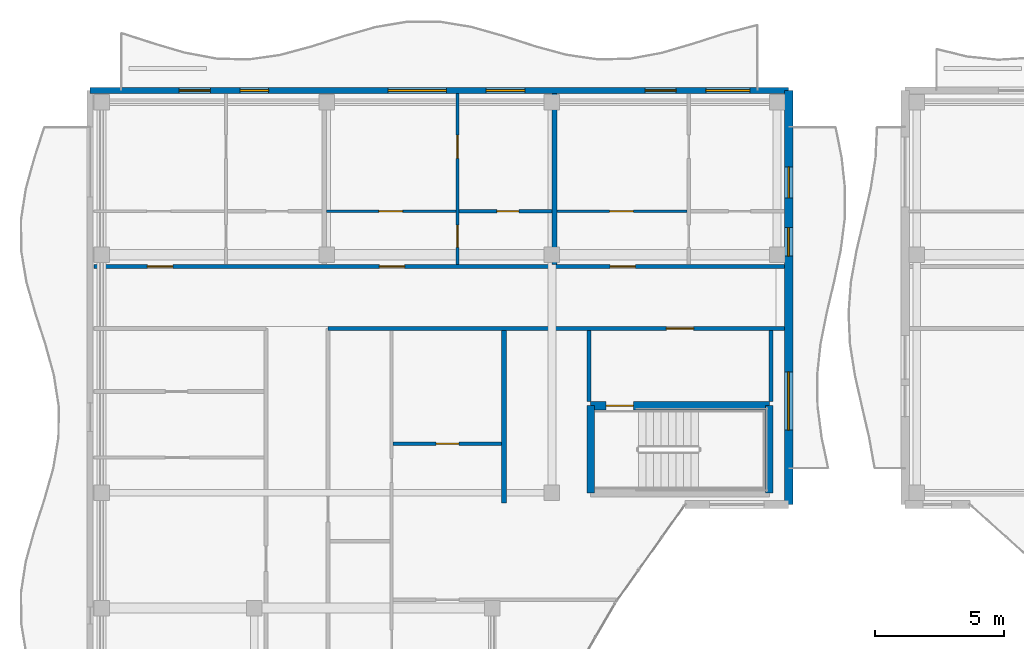
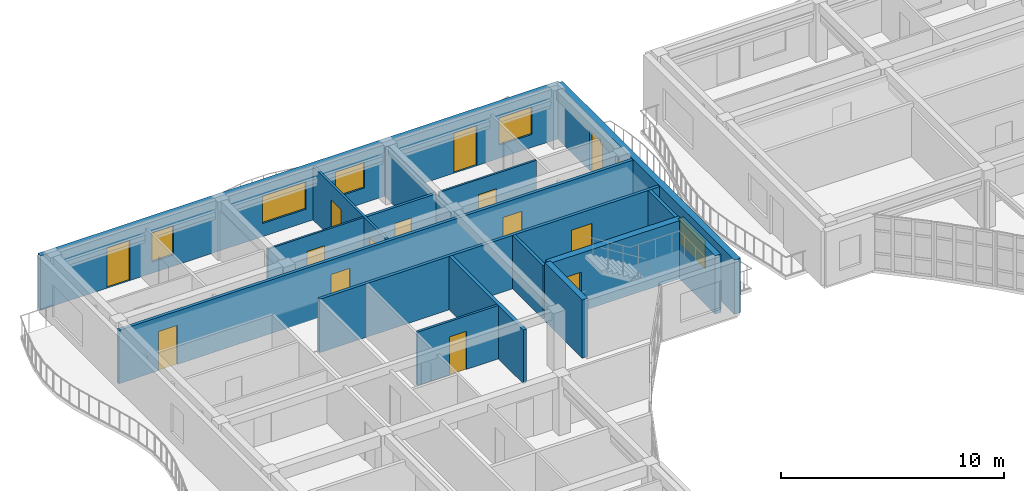
# One storey, part 34 of 72: 16 walls, 14 doors, 6 windows, 20 openings.
"""IFC4 building model written with IfcOpenShell, lengths in metres."""

from ifc_helpers import new_model, si_unit, direction, frame, frame_2d, origin, place, context, subcontext, project, spatial, rectangle, extrude, material, layer, layer_set, type_object, element, fill, save


model = new_model("IFC4")

# Units and contexts
model_context = context("Model", 3, precision=1e-05, world=origin(), true_north=direction((0.0, 1.0)))
body_context = subcontext(model_context, "Body", "Model", "MODEL_VIEW")
ifc_project = project(units=[si_unit("LENGTHUNIT", "METRE"), si_unit("AREAUNIT", "SQUARE_METRE"), si_unit("VOLUMEUNIT", "CUBIC_METRE"), si_unit("PLANEANGLEUNIT", "RADIAN"), si_unit("MASSUNIT", "GRAM", prefix="KILO")], contexts=[model_context])

# Site, building, storey
site_placement = place(None, origin())
site = spatial("IfcSite", under=ifc_project, at=site_placement, CompositionType="ELEMENT")
building_placement = place(site_placement, origin())
building = spatial("IfcBuilding", under=site, at=building_placement, Name="Keldmere Railside Commons", CompositionType="ELEMENT")
storey_placement = place(building_placement, frame((0.0, 0.0, 16.9599609375)))
storey = spatial("IfcBuildingStorey", under=building, at=storey_placement, Name="L05", CompositionType="ELEMENT", Elevation=16.9599609375)

# Walls
ifc_material_1 = material(Name="Acoustic Gypsum Board Partition", Category="gypsum")
ifc_layer_1 = layer(ifc_material_1, 0.179931640625, Name="Acoustic Demising Partition 180")
ifc_layer_set_1 = layer_set([ifc_layer_1], Name="Acoustic Gypsum Board Partition")
wall_type_1 = type_object("IfcWallType", Name="Acoustic Demising Partition 180", PredefinedType="PARTITIONING", material=ifc_layer_set_1)
wall_1_placement = place(storey_placement, frame((24.0, 100.050048828125, 0.0), z_axis=(0.0, 0.0, 1.0), x_axis=(0.0, 1.0, 0.0)))
element("IfcWall", 1, at=wall_1_placement, inside=storey, type_object=wall_type_1, Name="IW-1 IW-L05-0372", PredefinedType="PARTITIONING", context=body_context, shape_type="SweptSolid", body=[
    extrude(rectangle(XDim=6.669921875, YDim=0.179931640625, at=frame_2d((3.3349609375, 0.0))), origin(), (0.0, 0.0, 1.0), 2.93505859375),
])
wall_2_placement = place(storey_placement, frame((25.949951171875, 109.280029296875, 0.0), z_axis=(0.0, 0.0, 1.0), x_axis=(0.0, 1.0, 0.0)))
element("IfcWall", 2, at=wall_2_placement, inside=storey, type_object=wall_type_1, Name="IW-1 IW-L05-0390", PredefinedType="PARTITIONING", context=body_context, shape_type="SweptSolid", body=[
    extrude(rectangle(XDim=6.599853515625, YDim=0.179931640625, at=frame_2d((3.2998046875, 0.0))), origin(), (0.0, 0.0, 1.0), 2.679931640625),
])

# Wall, opening, door
ifc_layer_2 = layer(ifc_material_1, 0.1201171875, Name="Apartment Interior Partition 120")
ifc_layer_set_2 = layer_set([ifc_layer_2], Name="Acoustic Gypsum Board Partition")
wall_type_2 = type_object("IfcWallType", Name="Apartment Interior Partition 120", PredefinedType="PARTITIONING", material=ifc_layer_set_2)
wall_3_placement = place(storey_placement, frame((19.719970703125, 102.35009765625, 0.0), z_axis=(0.0, 0.0, 1.0), x_axis=(1.0, 0.0, 0.0)))
wall_3 = element("IfcWall", 3, at=wall_3_placement, inside=storey, type_object=wall_type_2, Name="IW-4 IW-L05-0388", PredefinedType="PARTITIONING", context=body_context, shape_type="SweptSolid", body=[
    extrude(rectangle(XDim=4.18994140625, YDim=0.1201171875, at=frame_2d((2.094970703125, 0.0))), origin(), (0.0, 0.0, 1.0), 2.93505859375),
])
opening_1_placement = place(wall_3_placement, frame((1.655029296875, 0.0, 0.0)))
opening_1 = element("IfcOpeningElement", 4, at=opening_1_placement, cuts=wall_3, Name="Opening ID-02", PredefinedType="OPENING", context=body_context, shape_type="SweptSolid", body=[
    extrude(rectangle(XDim=0.8798828125, YDim=2.10009765625, at=frame_2d((0.43994140625, 1.050048828125))), frame((0.0, 0.070068359375, 0.0), z_axis=(0.0, -1.0, 0.0), x_axis=(1.0, 0.0, 0.0)), (0.0, 0.0, 1.0), 0.14013671875),
])
ifc_material_2 = material(Name="Engineered Oak Timber", Category="wood")
door_type_1 = type_object("IfcDoorType", Name="Secondary Bedroom Door 880x2100", OperationType="NOTDEFINED", PredefinedType="DOOR", material=ifc_material_2)
door_1_placement = place(opening_1_placement, origin())
door_1 = element("IfcDoor", 5, at=door_1_placement, inside=storey, type_object=door_type_1, Name="ID-02 IDR-L05-0290", OperationType="SINGLE_SWING_RIGHT", OverallHeight=2.10009765625, OverallWidth=0.8798828125, PredefinedType="DOOR", context=body_context, shape_type="SweptSolid", body=[
    extrude(rectangle(XDim=0.8798828125, YDim=2.10009765625, at=frame_2d((0.43994140625, 1.050048828125))), frame((0.0, 0.02490234375, 0.0), z_axis=(0.0, -1.0, 0.0), x_axis=(1.0, 0.0, 0.0)), (0.0, 0.0, 1.0), 0.050048828125),
])
fill(opening_1, door_1)

# Wall, openings, doors
wall_4_placement = place(storey_placement, frame((22.199951171875, 109.280029296875, 0.0), z_axis=(0.0, 0.0, 1.0), x_axis=(0.0, 1.0, 0.0)))
wall_4 = element("IfcWall", 6, at=wall_4_placement, inside=storey, type_object=wall_type_2, Name="IW-4 IW-L05-0394", PredefinedType="PARTITIONING", context=body_context, shape_type="SweptSolid", body=[
    extrude(rectangle(XDim=6.599853515625, YDim=0.1201171875, at=frame_2d((3.2998046875, 0.0))), origin(), (0.0, 0.0, 1.0), 2.93505859375),
])
opening_2_placement = place(wall_4_placement, frame((0.656005859375, 0.0, 0.0)))
opening_2 = element("IfcOpeningElement", 7, at=opening_2_placement, cuts=wall_4, Name="Opening ID-04", PredefinedType="OPENING", context=body_context, shape_type="SweptSolid", body=[
    extrude(rectangle(XDim=0.860107421875, YDim=2.10009765625, at=frame_2d((0.43017578125, 1.050048828125))), frame((0.0, 0.070068359375, 0.0), z_axis=(0.0, -1.0, 0.0), x_axis=(1.0, 0.0, 0.0)), (0.0, 0.0, 1.0), 0.14013671875),
])
opening_3_placement = place(wall_4_placement, frame((4.097412109375, 0.0, 0.0)))
opening_3 = element("IfcOpeningElement", 8, at=opening_3_placement, cuts=wall_4, Name="Opening ID-01", PredefinedType="OPENING", context=body_context, shape_type="SweptSolid", body=[
    extrude(rectangle(XDim=0.89990234375, YDim=2.10009765625, at=frame_2d((0.449951171875, 1.050048828125))), frame((0.0, 0.070068359375, 0.0), z_axis=(0.0, -1.0, 0.0), x_axis=(1.0, 0.0, 0.0)), (0.0, 0.0, 1.0), 0.14013671875),
])
door_type_2 = type_object("IfcDoorType", Name="Apartment Bathroom Door 860x2100", OperationType="NOTDEFINED", PredefinedType="DOOR", material=ifc_material_2)
door_2_placement = place(opening_2_placement, origin())
door_2 = element("IfcDoor", 9, at=door_2_placement, inside=storey, type_object=door_type_2, Name="ID-04 IDR-L05-0298", OperationType="SINGLE_SWING_RIGHT", OverallHeight=2.10009765625, OverallWidth=0.860107421875, PredefinedType="DOOR", context=body_context, shape_type="SweptSolid", body=[
    extrude(rectangle(XDim=0.860107421875, YDim=2.10009765625, at=frame_2d((0.43017578125, 1.050048828125))), frame((0.0, 0.02490234375, 0.0), z_axis=(0.0, -1.0, 0.0), x_axis=(1.0, 0.0, 0.0)), (0.0, 0.0, 1.0), 0.050048828125),
])
fill(opening_2, door_2)
door_type_3 = type_object("IfcDoorType", Name="Primary Bedroom Door 900x2100", OperationType="NOTDEFINED", PredefinedType="DOOR", material=ifc_material_2)
door_3_placement = place(opening_3_placement, origin())
door_3 = element("IfcDoor", 10, at=door_3_placement, inside=storey, type_object=door_type_3, Name="ID-01 IDR-L05-0299", OperationType="SINGLE_SWING_LEFT", OverallHeight=2.10009765625, OverallWidth=0.89990234375, PredefinedType="DOOR", context=body_context, shape_type="SweptSolid", body=[
    extrude(rectangle(XDim=0.89990234375, YDim=2.10009765625, at=frame_2d((0.449951171875, 1.050048828125))), frame((0.0, 0.02490234375, 0.0), z_axis=(0.0, -1.0, 0.0), x_axis=(1.0, 0.0, 0.0)), (0.0, 0.0, 1.0), 0.050048828125),
])
fill(opening_3, door_3)

# Wall, opening, door
ifc_layer_3 = layer(ifc_material_1, 0.10009765625, Name="Closet Light Partition 100")
ifc_layer_set_3 = layer_set([ifc_layer_3], Name="Acoustic Gypsum Board Partition")
wall_type_3 = type_object("IfcWallType", Name="Closet Light Partition 100", PredefinedType="PARTITIONING", material=ifc_layer_set_3)
wall_5_placement = place(storey_placement, frame((17.139892578125, 111.330078125, 0.0), z_axis=(0.0, 0.0, 1.0), x_axis=(1.0, 0.0, 0.0)))
wall_5 = element("IfcWall", 11, at=wall_5_placement, inside=storey, type_object=wall_type_3, Name="IW-6 IW-L05-0396", PredefinedType="PARTITIONING", context=body_context, shape_type="SweptSolid", body=[
    extrude(rectangle(XDim=5.0, YDim=0.10009765625, at=frame_2d((2.5, 0.0))), origin(), (0.0, 0.0, 1.0), 2.93505859375),
])
opening_4_placement = place(wall_5_placement, frame((2.02392578125, 0.0, 0.0)))
opening_4 = element("IfcOpeningElement", 12, at=opening_4_placement, cuts=wall_5, Name="Opening ID-03", PredefinedType="OPENING", context=body_context, shape_type="SweptSolid", body=[
    extrude(rectangle(XDim=0.919921875, YDim=2.10009765625, at=frame_2d((0.4599609375, 1.050048828125))), frame((0.0, 0.06005859375, 0.0), z_axis=(0.0, -1.0, 0.0), x_axis=(1.0, 0.0, 0.0)), (0.0, 0.0, 1.0), 0.1201171875),
])
door_type_4 = type_object("IfcDoorType", Name="Kitchen Pocket-Frame Swing Door 920x2100", OperationType="NOTDEFINED", PredefinedType="DOOR", material=ifc_material_2)
door_4_placement = place(opening_4_placement, origin())
door_4 = element("IfcDoor", 13, at=door_4_placement, inside=storey, type_object=door_type_4, Name="ID-03 IDR-L05-0297", OperationType="SINGLE_SWING_LEFT", OverallHeight=2.10009765625, OverallWidth=0.919921875, PredefinedType="DOOR", context=body_context, shape_type="SweptSolid", body=[
    extrude(rectangle(XDim=0.919921875, YDim=2.10009765625, at=frame_2d((0.4599609375, 1.050048828125))), frame((0.0, 0.02490234375, 0.0), z_axis=(0.0, -1.0, 0.0), x_axis=(1.0, 0.0, 0.0)), (0.0, 0.0, 1.0), 0.050048828125),
])
fill(opening_4, door_4)

wall_6_placement = place(storey_placement, frame((26.0400390625, 111.330078125, 0.0), z_axis=(0.0, 0.0, 1.0), x_axis=(1.0, 0.0, 0.0)))
wall_6 = element("IfcWall", 14, at=wall_6_placement, inside=storey, type_object=wall_type_3, Name="IW-6 IW-L05-0399", PredefinedType="PARTITIONING", context=body_context, shape_type="SweptSolid", body=[
    extrude(rectangle(XDim=5.0400390625, YDim=0.10009765625, at=frame_2d((2.52001953125, 0.0))), origin(), (0.0, 0.0, 1.0), 2.93505859375),
])
opening_5_placement = place(wall_6_placement, frame((2.0400390625, 0.0, 0.0)))
opening_5 = element("IfcOpeningElement", 15, at=opening_5_placement, cuts=wall_6, Name="Opening ID-03", PredefinedType="OPENING", context=body_context, shape_type="SweptSolid", body=[
    extrude(rectangle(XDim=0.919921875, YDim=2.10009765625, at=frame_2d((0.4599609375, 1.050048828125))), frame((0.0, 0.06005859375, 0.0), z_axis=(0.0, -1.0, 0.0), x_axis=(1.0, 0.0, 0.0)), (0.0, 0.0, 1.0), 0.1201171875),
])
door_5_placement = place(opening_5_placement, origin())
door_5 = element("IfcDoor", 16, at=door_5_placement, inside=storey, type_object=door_type_4, Name="ID-03 IDR-L05-0302", OperationType="SINGLE_SWING_RIGHT", OverallHeight=2.10009765625, OverallWidth=0.919921875, PredefinedType="DOOR", context=body_context, shape_type="SweptSolid", body=[
    extrude(rectangle(XDim=0.919921875, YDim=2.10009765625, at=frame_2d((0.4599609375, 1.050048828125))), frame((0.0, 0.02490234375, 0.0), z_axis=(0.0, -1.0, 0.0), x_axis=(1.0, 0.0, 0.0)), (0.0, 0.0, 1.0), 0.050048828125),
])
fill(opening_5, door_5)

ifc_layer_4 = layer(ifc_material_1, 0.159912109375, Name="Corridor Fire Partition 160")
ifc_layer_set_4 = layer_set([ifc_layer_4], Name="Acoustic Gypsum Board Partition")
wall_type_4 = type_object("IfcWallType", Name="Corridor Fire Partition 160", PredefinedType="PARTITIONING", material=ifc_layer_set_4)
wall_7_placement = place(storey_placement, frame((17.199951171875, 106.800048828125, 0.0), z_axis=(0.0, 0.0, 1.0), x_axis=(1.0, 0.0, 0.0)))
wall_7 = element("IfcWall", 17, at=wall_7_placement, inside=storey, type_object=wall_type_4, Name="IW-2 IW-L05-0370", PredefinedType="PARTITIONING", context=body_context, shape_type="SweptSolid", body=[
    extrude(rectangle(XDim=17.64013671875, YDim=0.159912109375, at=frame_2d((8.820068359375, 0.0))), origin(), (0.0, 0.0, 1.0), 2.93505859375),
])
opening_6_placement = place(wall_7_placement, frame((13.074951171875, 0.0, 0.0)))
opening_6 = element("IfcOpeningElement", 18, at=opening_6_placement, cuts=wall_7, Name="Opening FD-1", PredefinedType="OPENING", context=body_context, shape_type="SweptSolid", body=[
    extrude(rectangle(XDim=1.050048828125, YDim=2.14990234375, at=frame_2d((0.52490234375, 1.074951171875))), frame((0.0, 0.08984375, 0.0), z_axis=(0.0, -1.0, 0.0), x_axis=(1.0, 0.0, 0.0)), (0.0, 0.0, 1.0), 0.179931640625),
])
ifc_material_3 = material(Name="Steel F-24 (S235)", Category="steel")
door_type_5 = type_object("IfcDoorType", Name="Stair Core Fire Door 1050x2150", OperationType="NOTDEFINED", PredefinedType="DOOR", material=ifc_material_3)
door_6_placement = place(opening_6_placement, origin())
door_6 = element("IfcDoor", 19, at=door_6_placement, inside=storey, type_object=door_type_5, Name="FD-1 IDR-L05-0273", OperationType="SINGLE_SWING_LEFT", OverallHeight=2.14990234375, OverallWidth=1.050048828125, PredefinedType="DOOR", context=body_context, shape_type="SweptSolid", body=[
    extrude(rectangle(XDim=1.050048828125, YDim=2.14990234375, at=frame_2d((0.52490234375, 1.074951171875))), frame((0.0, 0.02490234375, 0.0), z_axis=(0.0, -1.0, 0.0), x_axis=(1.0, 0.0, 0.0)), (0.0, 0.0, 1.0), 0.050048828125),
])
fill(opening_6, door_6)

# Wall, openings, doors
wall_8_placement = place(storey_placement, frame((8.159912109375, 109.199951171875, 0.0), z_axis=(0.0, 0.0, 1.0), x_axis=(1.0, 0.0, 0.0)))
wall_8 = element("IfcWall", 20, at=wall_8_placement, inside=storey, type_object=wall_type_4, Name="IW-2 IW-L05-0371", PredefinedType="PARTITIONING", context=body_context, shape_type="SweptSolid", body=[
    extrude(rectangle(XDim=26.68017578125, YDim=0.159912109375, at=frame_2d((13.340087890625, 0.0))), origin(), (0.0, 0.0, 1.0), 2.93505859375),
])
opening_7_placement = place(wall_8_placement, frame((2.06005859375, 0.0, 0.0)))
opening_7 = element("IfcOpeningElement", 21, at=opening_7_placement, cuts=wall_8, Name="Opening FD-7", PredefinedType="OPENING", context=body_context, shape_type="SweptSolid", body=[
    extrude(rectangle(XDim=0.97998046875, YDim=2.14990234375, at=frame_2d((0.489990234375, 1.074951171875))), frame((0.0, 0.08984375, 0.0), z_axis=(0.0, -1.0, 0.0), x_axis=(1.0, 0.0, 0.0)), (0.0, 0.0, 1.0), 0.179931640625),
])
opening_8_placement = place(wall_8_placement, frame((11.02001953125, 0.0, 0.0)))
opening_8 = element("IfcOpeningElement", 22, at=opening_8_placement, cuts=wall_8, Name="Opening FD-7", PredefinedType="OPENING", context=body_context, shape_type="SweptSolid", body=[
    extrude(rectangle(XDim=0.97998046875, YDim=2.14990234375, at=frame_2d((0.489990234375, 1.074951171875))), frame((0.0, 0.08984375, 0.0), z_axis=(0.0, -1.0, 0.0), x_axis=(1.0, 0.0, 0.0)), (0.0, 0.0, 1.0), 0.179931640625),
])
opening_9_placement = place(wall_8_placement, frame((19.93994140625, 0.0, 0.0)))
opening_9 = element("IfcOpeningElement", 23, at=opening_9_placement, cuts=wall_8, Name="Opening FD-7", PredefinedType="OPENING", context=body_context, shape_type="SweptSolid", body=[
    extrude(rectangle(XDim=0.97998046875, YDim=2.14990234375, at=frame_2d((0.489990234375, 1.074951171875))), frame((0.0, 0.08984375, 0.0), z_axis=(0.0, -1.0, 0.0), x_axis=(1.0, 0.0, 0.0)), (0.0, 0.0, 1.0), 0.179931640625),
])
door_type_6 = type_object("IfcDoorType", Name="Apartment Entrance Acoustic Fire Door 980x2150", OperationType="NOTDEFINED", PredefinedType="DOOR", material=ifc_material_2)
door_7_placement = place(opening_7_placement, origin())
door_7 = element("IfcDoor", 24, at=door_7_placement, inside=storey, type_object=door_type_6, Name="FD-7 IDR-L05-0291", OperationType="SINGLE_SWING_LEFT", OverallHeight=2.14990234375, OverallWidth=0.97998046875, PredefinedType="DOOR", context=body_context, shape_type="SweptSolid", body=[
    extrude(rectangle(XDim=0.97998046875, YDim=2.14990234375, at=frame_2d((0.489990234375, 1.074951171875))), frame((0.0, 0.02490234375, 0.0), z_axis=(0.0, -1.0, 0.0), x_axis=(1.0, 0.0, 0.0)), (0.0, 0.0, 1.0), 0.050048828125),
])
fill(opening_7, door_7)
door_8_placement = place(opening_8_placement, origin())
door_8 = element("IfcDoor", 25, at=door_8_placement, inside=storey, type_object=door_type_6, Name="FD-7 IDR-L05-0296", OperationType="SINGLE_SWING_RIGHT", OverallHeight=2.14990234375, OverallWidth=0.97998046875, PredefinedType="DOOR", context=body_context, shape_type="SweptSolid", body=[
    extrude(rectangle(XDim=0.97998046875, YDim=2.14990234375, at=frame_2d((0.489990234375, 1.074951171875))), frame((0.0, 0.02490234375, 0.0), z_axis=(0.0, -1.0, 0.0), x_axis=(1.0, 0.0, 0.0)), (0.0, 0.0, 1.0), 0.050048828125),
])
fill(opening_8, door_8)
door_9_placement = place(opening_9_placement, origin())
door_9 = element("IfcDoor", 26, at=door_9_placement, inside=storey, type_object=door_type_6, Name="FD-7 IDR-L05-0301", OperationType="SINGLE_SWING_LEFT", OverallHeight=2.14990234375, OverallWidth=0.97998046875, PredefinedType="DOOR", context=body_context, shape_type="SweptSolid", body=[
    extrude(rectangle(XDim=0.97998046875, YDim=2.14990234375, at=frame_2d((0.489990234375, 1.074951171875))), frame((0.0, 0.02490234375, 0.0), z_axis=(0.0, -1.0, 0.0), x_axis=(1.0, 0.0, 0.0)), (0.0, 0.0, 1.0), 0.050048828125),
])
fill(opening_9, door_9)

# Wall, openings, door, windows
ifc_material_4 = material(Name="Concrete H-35 (C35/45)", Category="concrete")
ifc_layer_5 = layer(ifc_material_4, 0.320068359375, Name="Exterior Shear Wall 320")
ifc_layer_set_5 = layer_set([ifc_layer_5], Name="Concrete H-35 (C35/45)")
wall_type_5 = type_object("IfcWallType", Name="Exterior Shear Wall 320", PredefinedType="SHEAR", material=ifc_layer_set_5)
wall_9_placement = place(storey_placement, frame((35.0, 116.0, 0.0), z_axis=(0.0, 0.0, 1.0), x_axis=(0.0, -1.0, 0.0)))
wall_9 = element("IfcWall", 27, at=wall_9_placement, inside=storey, type_object=wall_type_5, Name="ESW-2 EXTD-L05-0160", PredefinedType="SHEAR", context=body_context, shape_type="SweptSolid", body=[
    extrude(rectangle(XDim=16.0, YDim=0.320068359375, at=frame_2d((8.0, 0.0))), origin(), (0.0, 0.0, 1.0), 2.97998046875),
])
opening_10_placement = place(wall_9_placement, frame((2.949951171875, 0.0, 0.0)))
opening_10 = element("IfcOpeningElement", 28, at=opening_10_placement, cuts=wall_9, Name="Opening BD-01", PredefinedType="OPENING", context=body_context, shape_type="SweptSolid", body=[
    extrude(rectangle(XDim=1.199951171875, YDim=2.199951171875, at=frame_2d((0.60009765625, 1.10009765625))), frame((0.0, 0.169921875, 0.0), z_axis=(0.0, -1.0, 0.0), x_axis=(1.0, 0.0, 0.0)), (0.0, 0.0, 1.0), 0.340087890625),
])
opening_11_placement = place(wall_9_placement, frame((5.300048828125, 0.0, 0.6201171875)))
opening_11 = element("IfcOpeningElement", 29, at=opening_11_placement, cuts=wall_9, Name="Opening WN-16", PredefinedType="OPENING", context=body_context, shape_type="SweptSolid", body=[
    extrude(rectangle(XDim=1.10009765625, YDim=1.60009765625, at=frame_2d((0.550048828125, 0.800048828125))), frame((0.0, 0.169921875, 0.0), z_axis=(0.0, -1.0, 0.0), x_axis=(1.0, 0.0, 0.0)), (0.0, 0.0, 1.0), 0.340087890625),
])
opening_12_placement = place(wall_9_placement, frame((10.875, 0.0, 0.719970703125)))
opening_12 = element("IfcOpeningElement", 30, at=opening_12_placement, cuts=wall_9, Name="Opening WN-12", PredefinedType="OPENING", context=body_context, shape_type="SweptSolid", body=[
    extrude(rectangle(XDim=2.25, YDim=1.5, at=frame_2d((1.125, 0.75))), frame((0.0, 0.169921875, 0.0), z_axis=(0.0, -1.0, 0.0), x_axis=(1.0, 0.0, 0.0)), (0.0, 0.0, 1.0), 0.340087890625),
])
ifc_material_5 = material(Name="Thermally Broken Aluminium", Category="aluminium")
door_type_7 = type_object("IfcDoorType", Name="Apartment Living Wave-Balcony Glazed Door 1200x2200", OperationType="NOTDEFINED", PredefinedType="DOOR", material=ifc_material_5)
door_10_placement = place(opening_10_placement, origin())
door_10 = element("IfcDoor", 31, at=door_10_placement, inside=storey, type_object=door_type_7, Name="BD-01 DR-L05-0033", OperationType="SINGLE_SWING_LEFT", OverallHeight=2.199951171875, OverallWidth=1.199951171875, PredefinedType="DOOR", context=body_context, shape_type="SweptSolid", body=[
    extrude(rectangle(XDim=1.199951171875, YDim=2.199951171875, at=frame_2d((0.60009765625, 1.10009765625))), frame((0.0, 0.02490234375, 0.0), z_axis=(0.0, -1.0, 0.0), x_axis=(1.0, 0.0, 0.0)), (0.0, 0.0, 1.0), 0.050048828125),
])
fill(opening_10, door_10)
ifc_material_6 = material(Name="Low-E Insulated Double Glazing", Category="glass")
window_type_1 = type_object("IfcWindowType", Name="Corridor End Daylight Window 1100x1600", PartitioningType="SINGLE_PANEL", PredefinedType="WINDOW", material=ifc_material_6)
window_1_placement = place(opening_11_placement, origin())
window_1 = element("IfcWindow", 32, at=window_1_placement, inside=storey, type_object=window_type_1, Name="WN-16 WIN-L05-0105", OverallHeight=1.60009765625, OverallWidth=1.10009765625, PartitioningType="SINGLE_PANEL", PredefinedType="WINDOW", context=body_context, shape_type="SweptSolid", body=[
    extrude(rectangle(XDim=1.10009765625, YDim=1.60009765625, at=frame_2d((0.550048828125, 0.800048828125))), frame((0.0, 0.030029296875, 0.0), z_axis=(0.0, -1.0, 0.0), x_axis=(1.0, 0.0, 0.0)), (0.0, 0.0, 1.0), 0.06005859375),
])
fill(opening_11, window_1)
window_type_2 = type_object("IfcWindowType", Name="Studio Court Ribbon Window 2250x1500", PartitioningType="SINGLE_PANEL", PredefinedType="WINDOW", material=ifc_material_6)
window_2_placement = place(opening_12_placement, origin())
window_2 = element("IfcWindow", 33, at=window_2_placement, inside=storey, type_object=window_type_2, Name="WN-12 WIN-L05-0106", OverallHeight=1.5, OverallWidth=2.25, PartitioningType="SINGLE_PANEL", PredefinedType="WINDOW", context=body_context, shape_type="SweptSolid", body=[
    extrude(rectangle(XDim=2.25, YDim=1.5, at=frame_2d((1.125, 0.75))), frame((0.0, 0.030029296875, 0.0), z_axis=(0.0, -1.0, 0.0), x_axis=(1.0, 0.0, 0.0)), (0.0, 0.0, 1.0), 0.06005859375),
])
fill(opening_12, window_2)

# Walls
ifc_layer_6 = layer(ifc_material_4, 0.300048828125, Name="Interior Shear Wall 300")
ifc_layer_set_6 = layer_set([ifc_layer_6], Name="Concrete H-35 (C35/45)")
wall_type_6 = type_object("IfcWallType", Name="Interior Shear Wall 300", PredefinedType="SHEAR", material=ifc_layer_set_6)
for number, where, z_axis, x_axis, name in (
    (34, (27.35009765625, 103.820068359375, 0.0), (0.0, 0.0, 1.0), (0.0, -1.0, 0.0), "ISW-2 CORED2W-L05-0097"),
    (35, (34.25, 100.449951171875, 0.0), (0.0, 0.0, 1.0), (0.0, 1.0, 0.0), "ISW-2 CORED2E-L05-0098"),
):
    element("IfcWall", number, at=place(storey_placement, frame(where, z_axis=z_axis, x_axis=x_axis)), inside=storey, type_object=wall_type_6, Name=name, PredefinedType="SHEAR", context=body_context, shape_type="SweptSolid", body=[
        extrude(rectangle(XDim=3.3701171875, YDim=0.300048828125, at=frame_2d((1.68505859375, 0.0))), origin(), (0.0, 0.0, 1.0), 3.199951171875),
    ])

# Wall, opening, door
ifc_layer_7 = layer(ifc_material_4, 0.340087890625, Name="Interior Shear Wall 340")
ifc_layer_set_7 = layer_set([ifc_layer_7], Name="Concrete H-35 (C35/45)")
wall_type_7 = type_object("IfcWallType", Name="Interior Shear Wall 340", PredefinedType="SHEAR", material=ifc_layer_set_7)
wall_10_placement = place(storey_placement, frame((34.25, 103.820068359375, 0.0), z_axis=(0.0, 0.0, 1.0), x_axis=(-1.0, 0.0, 0.0)))
wall_10 = element("IfcWall", 36, at=wall_10_placement, inside=storey, type_object=wall_type_7, Name="ISW-1 CORED2N-L05-0096", PredefinedType="SHEAR", context=body_context, shape_type="SweptSolid", body=[
    extrude(rectangle(XDim=6.89990234375, YDim=0.340087890625, at=frame_2d((3.449951171875, 0.0))), origin(), (0.0, 0.0, 1.0), 3.199951171875),
])
opening_13_placement = place(wall_10_placement, frame((5.25, 0.0, 0.0)))
opening_13 = element("IfcOpeningElement", 37, at=opening_13_placement, cuts=wall_10, Name="Opening FD-1", PredefinedType="OPENING", context=body_context, shape_type="SweptSolid", body=[
    extrude(rectangle(XDim=1.050048828125, YDim=2.14990234375, at=frame_2d((0.52490234375, 1.074951171875))), frame((0.0, 0.179931640625, 0.0), z_axis=(0.0, -1.0, 0.0), x_axis=(1.0, 0.0, 0.0)), (0.0, 0.0, 1.0), 0.360107421875),
])
door_11_placement = place(opening_13_placement, origin())
door_11 = element("IfcDoor", 38, at=door_11_placement, inside=storey, type_object=door_type_5, Name="FD-1 D2 L05", OperationType="SINGLE_SWING_RIGHT", OverallHeight=2.14990234375, OverallWidth=1.050048828125, PredefinedType="DOOR", context=body_context, shape_type="SweptSolid", body=[
    extrude(rectangle(XDim=1.050048828125, YDim=2.14990234375, at=frame_2d((0.52490234375, 1.074951171875))), frame((0.0, 0.02490234375, 0.0), z_axis=(0.0, -1.0, 0.0), x_axis=(1.0, 0.0, 0.0)), (0.0, 0.0, 1.0), 0.050048828125),
])
fill(opening_13, door_11)

# Walls
ifc_layer_8 = layer(ifc_material_1, 0.14990234375, Name="Lobby Rated Partition 150")
ifc_layer_set_8 = layer_set([ifc_layer_8], Name="Acoustic Gypsum Board Partition")
wall_type_8 = type_object("IfcWallType", Name="Lobby Rated Partition 150", PredefinedType="PARTITIONING", material=ifc_layer_set_8)
for number, where, z_axis, x_axis, name in (
    (39, (27.280029296875, 103.989990234375, 0.0), (0.0, 0.0, 1.0), (0.0, 1.0, 0.0), "IW-3 IW-L05-0373"),
    (40, (34.320068359375, 103.989990234375, 0.0), (0.0, 0.0, 1.0), (0.0, 1.0, 0.0), "IW-3 IW-L05-0374"),
):
    element("IfcWall", number, at=place(storey_placement, frame(where, z_axis=z_axis, x_axis=x_axis)), inside=storey, type_object=wall_type_8, Name=name, PredefinedType="PARTITIONING", context=body_context, shape_type="SweptSolid", body=[
        extrude(rectangle(XDim=2.72998046875, YDim=0.14990234375, at=frame_2d((1.364990234375, 0.0))), origin(), (0.0, 0.0, 1.0), 2.93505859375),
    ])

# Wall, openings, doors, windows
ifc_material_7 = material(Name="Architectural Precast Concrete H-35 (C35/45)", Category="concrete")
ifc_layer_9 = layer(ifc_material_7, 0.239990234375, Name="Sand-Ochre Precast Cavity Wall 240")
ifc_layer_set_9 = layer_set([ifc_layer_9], Name="Architectural Precast Concrete H-35 (C35/45)")
wall_type_9 = type_object("IfcWallType", Name="Sand-Ochre Precast Cavity Wall 240", PredefinedType="SOLIDWALL", material=ifc_layer_set_9)
wall_11_placement = place(storey_placement, frame((8.0, 116.0, 0.0), z_axis=(0.0, 0.0, 1.0), x_axis=(1.0, 0.0, 0.0)))
wall_11 = element("IfcWall", 41, at=wall_11_placement, inside=storey, type_object=wall_type_9, Name="EW-2 EXTD-L05-0161", PredefinedType="SOLIDWALL", context=body_context, shape_type="SweptSolid", body=[
    extrude(rectangle(XDim=27.0, YDim=0.239990234375, at=frame_2d((13.5, 0.0))), origin(), (0.0, 0.0, 1.0), 2.97998046875),
])
opening_14_placement = place(wall_11_placement, frame((3.449951171875, 0.0, 0.0)))
opening_14 = element("IfcOpeningElement", 42, at=opening_14_placement, cuts=wall_11, Name="Opening BD-01", PredefinedType="OPENING", context=body_context, shape_type="SweptSolid", body=[
    extrude(rectangle(XDim=1.199951171875, YDim=2.199951171875, at=frame_2d((0.60009765625, 1.10009765625))), frame((0.0, 0.1298828125, 0.0), z_axis=(0.0, -1.0, 0.0), x_axis=(1.0, 0.0, 0.0)), (0.0, 0.0, 1.0), 0.260009765625),
])
opening_15_placement = place(wall_11_placement, frame((5.800048828125, 0.0, 0.6201171875)))
opening_15 = element("IfcOpeningElement", 43, at=opening_15_placement, cuts=wall_11, Name="Opening WN-16", PredefinedType="OPENING", context=body_context, shape_type="SweptSolid", body=[
    extrude(rectangle(XDim=1.10009765625, YDim=1.60009765625, at=frame_2d((0.550048828125, 0.800048828125))), frame((0.0, 0.1298828125, 0.0), z_axis=(0.0, -1.0, 0.0), x_axis=(1.0, 0.0, 0.0)), (0.0, 0.0, 1.0), 0.260009765625),
])
opening_16_placement = place(wall_11_placement, frame((11.52490234375, 0.0, 0.719970703125)))
opening_16 = element("IfcOpeningElement", 44, at=opening_16_placement, cuts=wall_11, Name="Opening WN-12", PredefinedType="OPENING", context=body_context, shape_type="SweptSolid", body=[
    extrude(rectangle(XDim=2.25, YDim=1.5, at=frame_2d((1.125, 0.75))), frame((0.0, 0.1298828125, 0.0), z_axis=(0.0, -1.0, 0.0), x_axis=(1.0, 0.0, 0.0)), (0.0, 0.0, 1.0), 0.260009765625),
])
opening_17_placement = place(wall_11_placement, frame((21.449951171875, 0.0, 0.0)))
opening_17 = element("IfcOpeningElement", 45, at=opening_17_placement, cuts=wall_11, Name="Opening BD-01", PredefinedType="OPENING", context=body_context, shape_type="SweptSolid", body=[
    extrude(rectangle(XDim=1.199951171875, YDim=2.199951171875, at=frame_2d((0.60009765625, 1.10009765625))), frame((0.0, 0.1298828125, 0.0), z_axis=(0.0, -1.0, 0.0), x_axis=(1.0, 0.0, 0.0)), (0.0, 0.0, 1.0), 0.260009765625),
])
opening_18_placement = place(wall_11_placement, frame((23.800048828125, 0.0, 0.719970703125)))
opening_18 = element("IfcOpeningElement", 46, at=opening_18_placement, cuts=wall_11, Name="Opening WN-20", PredefinedType="OPENING", context=body_context, shape_type="SweptSolid", body=[
    extrude(rectangle(XDim=1.699951171875, YDim=1.5, at=frame_2d((0.85009765625, 0.75))), frame((0.0, 0.1298828125, 0.0), z_axis=(0.0, -1.0, 0.0), x_axis=(1.0, 0.0, 0.0)), (0.0, 0.0, 1.0), 0.260009765625),
])
opening_19_placement = place(wall_11_placement, frame((15.304931640625, 0.0, 0.820068359375)))
opening_19 = element("IfcOpeningElement", 47, at=opening_19_placement, cuts=wall_11, Name="Opening WN-06", PredefinedType="OPENING", context=body_context, shape_type="SweptSolid", body=[
    extrude(rectangle(XDim=1.5, YDim=1.39990234375, at=frame_2d((0.75, 0.699951171875))), frame((0.0, 0.1298828125, 0.0), z_axis=(0.0, -1.0, 0.0), x_axis=(1.0, 0.0, 0.0)), (0.0, 0.0, 1.0), 0.260009765625),
])
door_12_placement = place(opening_14_placement, origin())
door_12 = element("IfcDoor", 48, at=door_12_placement, inside=storey, type_object=door_type_7, Name="BD-01 DR-L05-0034", OperationType="SINGLE_SWING_RIGHT", OverallHeight=2.199951171875, OverallWidth=1.199951171875, PredefinedType="DOOR", context=body_context, shape_type="SweptSolid", body=[
    extrude(rectangle(XDim=1.199951171875, YDim=2.199951171875, at=frame_2d((0.60009765625, 1.10009765625))), frame((0.0, 0.02490234375, 0.0), z_axis=(0.0, -1.0, 0.0), x_axis=(1.0, 0.0, 0.0)), (0.0, 0.0, 1.0), 0.050048828125),
])
fill(opening_14, door_12)
door_13_placement = place(opening_17_placement, origin())
door_13 = element("IfcDoor", 49, at=door_13_placement, inside=storey, type_object=door_type_7, Name="BD-01 DR-L05-0035", OperationType="SINGLE_SWING_LEFT", OverallHeight=2.199951171875, OverallWidth=1.199951171875, PredefinedType="DOOR", context=body_context, shape_type="SweptSolid", body=[
    extrude(rectangle(XDim=1.199951171875, YDim=2.199951171875, at=frame_2d((0.60009765625, 1.10009765625))), frame((0.0, 0.02490234375, 0.0), z_axis=(0.0, -1.0, 0.0), x_axis=(1.0, 0.0, 0.0)), (0.0, 0.0, 1.0), 0.050048828125),
])
fill(opening_17, door_13)
window_3_placement = place(opening_15_placement, origin())
window_3 = element("IfcWindow", 50, at=window_3_placement, inside=storey, type_object=window_type_1, Name="WN-16 WIN-L05-0107", OverallHeight=1.60009765625, OverallWidth=1.10009765625, PartitioningType="SINGLE_PANEL", PredefinedType="WINDOW", context=body_context, shape_type="SweptSolid", body=[
    extrude(rectangle(XDim=1.10009765625, YDim=1.60009765625, at=frame_2d((0.550048828125, 0.800048828125))), frame((0.0, 0.030029296875, 0.0), z_axis=(0.0, -1.0, 0.0), x_axis=(1.0, 0.0, 0.0)), (0.0, 0.0, 1.0), 0.06005859375),
])
fill(opening_15, window_3)
window_type_3 = type_object("IfcWindowType", Name="Primary Bedroom North Window 1500x1400", PartitioningType="SINGLE_PANEL", PredefinedType="WINDOW", material=ifc_material_6)
window_4_placement = place(opening_19_placement, origin())
window_4 = element("IfcWindow", 51, at=window_4_placement, inside=storey, type_object=window_type_3, Name="WN-06 WIN-L05-9040", OverallHeight=1.39990234375, OverallWidth=1.5, PartitioningType="SINGLE_PANEL", PredefinedType="WINDOW", context=body_context, shape_type="SweptSolid", body=[
    extrude(rectangle(XDim=1.5, YDim=1.39990234375, at=frame_2d((0.75, 0.699951171875))), frame((0.0, 0.030029296875, 0.0), z_axis=(0.0, -1.0, 0.0), x_axis=(1.0, 0.0, 0.0)), (0.0, 0.0, 1.0), 0.06005859375),
])
fill(opening_19, window_4)
window_5_placement = place(opening_16_placement, origin())
window_5 = element("IfcWindow", 52, at=window_5_placement, inside=storey, type_object=window_type_2, Name="WN-12 WIN-L05-0108", OverallHeight=1.5, OverallWidth=2.25, PartitioningType="SINGLE_PANEL", PredefinedType="WINDOW", context=body_context, shape_type="SweptSolid", body=[
    extrude(rectangle(XDim=2.25, YDim=1.5, at=frame_2d((1.125, 0.75))), frame((0.0, 0.030029296875, 0.0), z_axis=(0.0, -1.0, 0.0), x_axis=(1.0, 0.0, 0.0)), (0.0, 0.0, 1.0), 0.06005859375),
])
fill(opening_16, window_5)
window_type_4 = type_object("IfcWindowType", Name="Study Room Quiet Casement Window 1700x1500", PartitioningType="SINGLE_PANEL", PredefinedType="WINDOW", material=ifc_material_6)
window_6_placement = place(opening_18_placement, origin())
window_6 = element("IfcWindow", 53, at=window_6_placement, inside=storey, type_object=window_type_4, Name="WN-20 WIN-L05-0109", OverallHeight=1.5, OverallWidth=1.699951171875, PartitioningType="SINGLE_PANEL", PredefinedType="WINDOW", context=body_context, shape_type="SweptSolid", body=[
    extrude(rectangle(XDim=1.699951171875, YDim=1.5, at=frame_2d((0.85009765625, 0.75))), frame((0.0, 0.030029296875, 0.0), z_axis=(0.0, -1.0, 0.0), x_axis=(1.0, 0.0, 0.0)), (0.0, 0.0, 1.0), 0.06005859375),
])
fill(opening_18, window_6)

# Wall, opening, door
ifc_layer_10 = layer(ifc_material_1, 0.139892578125, Name="Wet-Room Sanitary Partition 140")
ifc_layer_set_10 = layer_set([ifc_layer_10], Name="Acoustic Gypsum Board Partition")
wall_type_10 = type_object("IfcWallType", Name="Wet-Room Sanitary Partition 140", PredefinedType="PARTITIONING", material=ifc_layer_set_10)
wall_12_placement = place(storey_placement, frame((22.260009765625, 111.330078125, 0.0), z_axis=(0.0, 0.0, 1.0), x_axis=(1.0, 0.0, 0.0)))
wall_12 = element("IfcWall", 54, at=wall_12_placement, inside=storey, type_object=wall_type_10, Name="IW-5 IW-L05-0395", PredefinedType="PARTITIONING", context=body_context, shape_type="SweptSolid", body=[
    extrude(rectangle(XDim=3.60009765625, YDim=0.139892578125, at=frame_2d((1.800048828125, 0.0))), origin(), (0.0, 0.0, 1.0), 2.93505859375),
])
opening_20_placement = place(wall_12_placement, frame((1.464111328125, 0.0, 0.0)))
opening_20 = element("IfcOpeningElement", 55, at=opening_20_placement, cuts=wall_12, Name="Opening ID-06", PredefinedType="OPENING", context=body_context, shape_type="SweptSolid", body=[
    extrude(rectangle(XDim=0.85009765625, YDim=2.050048828125, at=frame_2d((0.425048828125, 1.02490234375))), frame((0.0, 0.079833984375, 0.0), z_axis=(0.0, -1.0, 0.0), x_axis=(1.0, 0.0, 0.0)), (0.0, 0.0, 1.0), 0.159912109375),
])
door_type_8 = type_object("IfcDoorType", Name="Storage Closet Door 850x2050", OperationType="NOTDEFINED", PredefinedType="DOOR", material=ifc_material_2)
door_14_placement = place(opening_20_placement, origin())
door_14 = element("IfcDoor", 56, at=door_14_placement, inside=storey, type_object=door_type_8, Name="ID-06 IDR-L05-0300", OperationType="SINGLE_SWING_RIGHT", OverallHeight=2.050048828125, OverallWidth=0.85009765625, PredefinedType="DOOR", context=body_context, shape_type="SweptSolid", body=[
    extrude(rectangle(XDim=0.85009765625, YDim=2.050048828125, at=frame_2d((0.425048828125, 1.02490234375))), frame((0.0, 0.02490234375, 0.0), z_axis=(0.0, -1.0, 0.0), x_axis=(1.0, 0.0, 0.0)), (0.0, 0.0, 1.0), 0.050048828125),
])
fill(opening_20, door_14)

save(model, "model.ifc")
